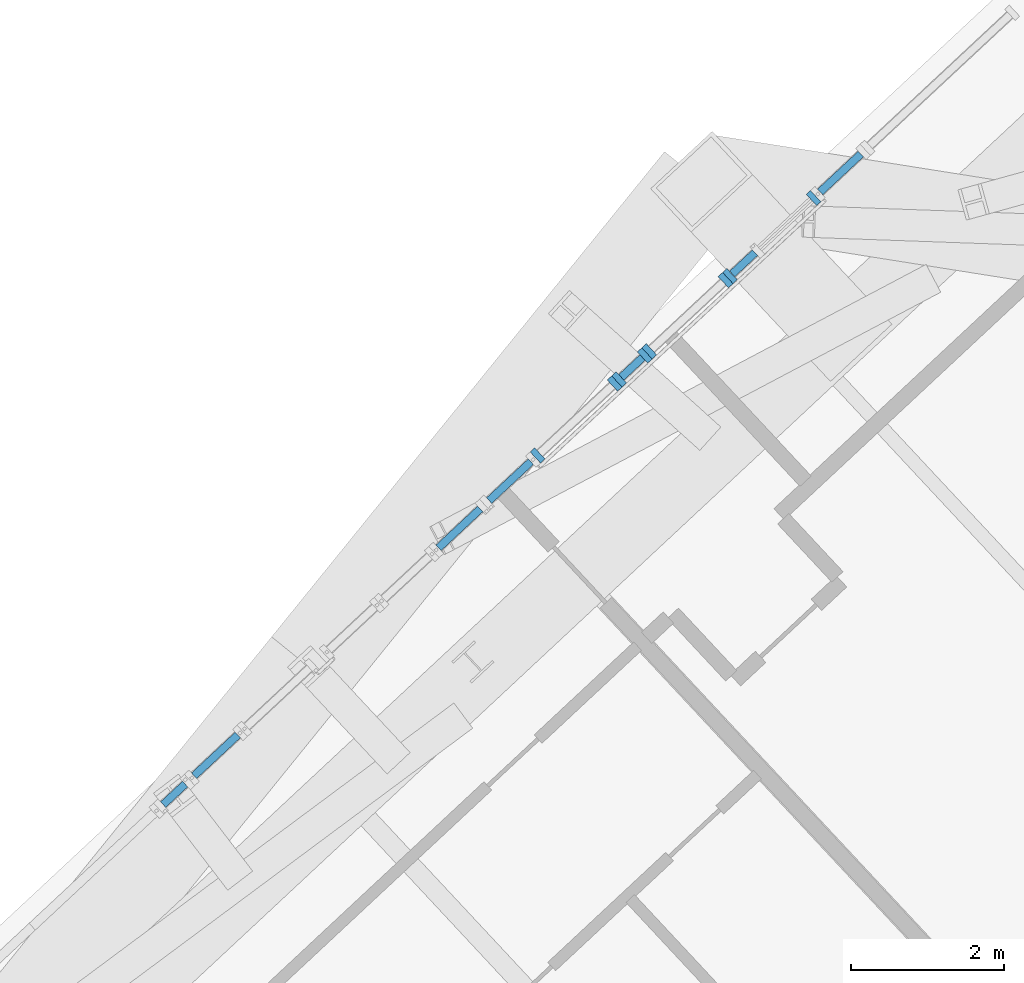
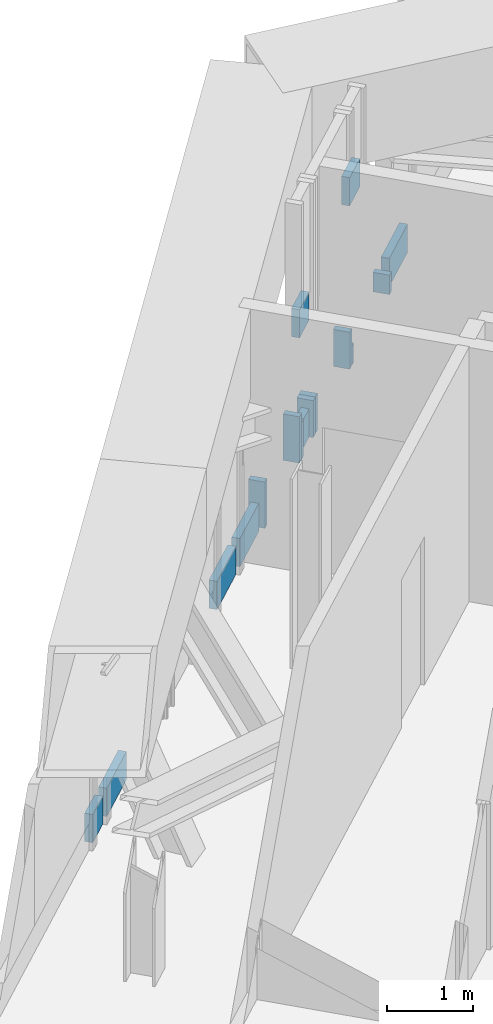
# One storey, part 13 of 31: 16 members, 11 elements without a shape of their own.
"""IFC4 building model written with IfcOpenShell, lengths in metres."""

from ifc_helpers import new_model, si_unit, direction, frame, origin, origin_2d, place, context, subcontext, project, spatial, rectangle, extrude, source, transform, mapped, material, material_profile, profile_set, type_object, element, aggregate, save


model = new_model("IFC4")

# Units and contexts
model_context = context("Model", 3, precision=1e-05, world=origin(), true_north=direction((0.0, 1.0)))
body_context = subcontext(model_context, "Body", "Model", "MODEL_VIEW")
ifc_project = project(units=[si_unit("LENGTHUNIT", "METRE"), si_unit("AREAUNIT", "SQUARE_METRE"), si_unit("VOLUMEUNIT", "CUBIC_METRE"), si_unit("PLANEANGLEUNIT", "RADIAN"), si_unit("MASSUNIT", "GRAM", prefix="KILO")], contexts=[model_context])

# Site, building, storey
site_placement = place(None, origin())
site = spatial("IfcSite", under=ifc_project, at=site_placement, CompositionType="ELEMENT")
building_placement = place(site_placement, origin())
building = spatial("IfcBuilding", under=site, at=building_placement, Name="Triune Harvest Tower", CompositionType="ELEMENT")
storey_placement = place(building_placement, frame((0.0, 0.0, 134.300048828125)))
storey = spatial("IfcBuildingStorey", under=building, at=storey_placement, Name="L34", CompositionType="ELEMENT", Elevation=134.300048828125)

# Curtain wall, member
ifc_material_1 = material(Name="Aluminium bronze anodised", Category="aluminium")
curtain_wall_type_1 = type_object("IfcCurtainWallType", Name="CW-5 Plant louvre wall", PredefinedType="NOTDEFINED", material=ifc_material_1)
curtain_wall_1_placement = place(storey_placement, origin())
curtain_wall_1 = element("IfcCurtainWall", 1, at=curtain_wall_1_placement, inside=storey, type_object=curtain_wall_type_1, Name="CW-5 B3-F3 L34 run 101")
ifc_material_2 = material(Name="Aluminium bronze anodised", Category="aluminium")
ifc_material_profile_1 = material_profile(ifc_material_2, rectangle(XDim=0.10009765625, YDim=0.39990234375, at=origin_2d()), Name="TR-5 transom 100 x 400")
ifc_profile_set_1 = profile_set([ifc_material_profile_1], Name="Aluminium bronze anodised")
member_type_1 = type_object("IfcMemberType", Name="TR-5 transom 100 x 400", PredefinedType="USERDEFINED", material=ifc_profile_set_1)
member_1_placement = place(storey_placement, frame((2.0048828125, 31.98388671875, 0.199951171875), z_axis=(-0.731311559653, -0.682043548989, 0.0), x_axis=(0.682043548989, -0.731311559653, 0.0)))
member_1 = element("IfcMember", 2, at=member_1_placement, type_object=member_type_1, Name="CW-5 transom B3-F3 101.1", ObjectType="TRANSOM", PredefinedType="USERDEFINED", context=body_context, shape_type="SweptSolid", body=[
    extrude(rectangle(XDim=0.10009765625, YDim=0.39990234375, at=origin_2d()), origin(), (0.0, 0.0, 1.0), 0.728515625),
])
aggregate(curtain_wall_1, [member_1])

curtain_wall_2_placement = place(storey_placement, origin())
curtain_wall_2 = element("IfcCurtainWall", 3, at=curtain_wall_2_placement, inside=storey, type_object=curtain_wall_type_1, Name="CW-5 B3-F3 L34 run 201")
member_2_placement = place(storey_placement, frame((0.619140625, 30.691650390625, 2.39453125), z_axis=(-0.73131499375, -0.682039866809, 0.0), x_axis=(0.682039866809, -0.73131499375, 0.0)))
member_2 = element("IfcMember", 4, at=member_2_placement, type_object=member_type_1, Name="CW-5 transom B3-F3 201.1", ObjectType="TRANSOM", PredefinedType="USERDEFINED", context=body_context, shape_type="SweptSolid", body=[
    extrude(rectangle(XDim=0.10009765625, YDim=0.39990234375, at=origin_2d()), origin(), (0.0, 0.0, 1.0), 0.40625),
])
aggregate(curtain_wall_2, [member_2])

# Curtain wall, members
curtain_wall_3_placement = place(storey_placement, origin())
curtain_wall_3 = element("IfcCurtainWall", 5, at=curtain_wall_3_placement, inside=storey, type_object=curtain_wall_type_1, Name="CW-5 B3-F3 L34 run 301")
ifc_material_3 = material(Name="Aluminium bronze anodised", Category="aluminium")
ifc_material_profile_2 = material_profile(ifc_material_3, rectangle(XDim=0.199951171875, YDim=0.080078125, at=origin_2d()), Name="MU-5 mullion 80 x 200")
ifc_profile_set_2 = profile_set([ifc_material_profile_2], Name="Aluminium bronze anodised")
member_type_2 = type_object("IfcMemberType", Name="MU-5 mullion 80 x 200", PredefinedType="MULLION", material=ifc_profile_set_2)
shared_shape_1 = source(origin(), body_context, "Body", "SweptSolid", [
    extrude(rectangle(XDim=0.199951171875, YDim=0.080078125, at=origin_2d()), origin(), (0.0, 0.0, 1.0), 0.5234375),
])
member_3_placement = place(storey_placement, frame((0.234130859375, 30.332763671875, 0.0), z_axis=(0.0, 0.0, 1.0), x_axis=(0.682000499676, -0.731351706392, 0.0)))
member_3 = element("IfcMember", 6, at=member_3_placement, type_object=member_type_2, Name="CW-5 mullion B3-F3 301.1", PredefinedType="MULLION", context=body_context, shape_type="MappedRepresentation", body=[
    mapped(shared_shape_1, transform((0.0, 0.0, 0.0), scale=1.0)),
])
member_4_placement = place(storey_placement, frame((-0.765380859375, 29.400634765625, 0.0), z_axis=(0.0, 0.0, 1.0), x_axis=(0.682000499676, -0.731351706392, 0.0)))
member_4 = element("IfcMember", 7, at=member_4_placement, type_object=member_type_2, Name="CW-5 mullion B3-F3 301.2", PredefinedType="MULLION", context=body_context, shape_type="MappedRepresentation", body=[
    mapped(shared_shape_1, transform((0.0, 0.0, 0.0), scale=1.0)),
])
aggregate(curtain_wall_3, [member_3, member_4])

curtain_wall_4_placement = place(storey_placement, origin())
curtain_wall_4 = element("IfcCurtainWall", 8, at=curtain_wall_4_placement, inside=storey, type_object=curtain_wall_type_1, Name="CW-5 B3-F3 L34 run 501")
member_5_placement = place(storey_placement, frame((-0.823974609375, 29.345947265625, 0.0), z_axis=(0.0, 0.0, 1.0), x_axis=(0.681921796066, -0.731425091209, 0.0)))
member_5 = element("IfcMember", 9, at=member_5_placement, type_object=member_type_2, Name="CW-5 mullion B3-F3 501.1", PredefinedType="MULLION", context=body_context, shape_type="MappedRepresentation", body=[
    mapped(shared_shape_1, transform((0.0, 0.0, 0.0), scale=1.0)),
])
member_6_placement = place(storey_placement, frame((-1.159912109375, 29.03271484375, 0.0), z_axis=(0.0, 0.0, 1.0), x_axis=(0.681921796066, -0.731425091209, 0.0)))
member_6 = element("IfcMember", 10, at=member_6_placement, type_object=member_type_2, Name="CW-5 mullion B3-F3 501.2", PredefinedType="MULLION", context=body_context, shape_type="MappedRepresentation", body=[
    mapped(shared_shape_1, transform((0.0, 0.0, 0.0), scale=1.0)),
])
shared_shape_2 = source(origin(), body_context, "Body", "SweptSolid", [
    extrude(rectangle(XDim=0.10009765625, YDim=0.39990234375, at=origin_2d()), origin(), (0.0, 0.0, 1.0), 0.37939453125),
])
member_7_placement = place(storey_placement, frame((-0.85302734375, 29.31884765625, 0.199951171875), z_axis=(-0.731440219282, -0.681905569428, 0.0), x_axis=(0.681905569428, -0.731440219282, 0.0)))
member_7 = element("IfcMember", 11, at=member_7_placement, type_object=member_type_1, Name="CW-5 transom B3-F3 501.1", ObjectType="TRANSOM", PredefinedType="USERDEFINED", context=body_context, shape_type="MappedRepresentation", body=[
    mapped(shared_shape_2, transform((0.0, 0.0, 0.0), scale=1.0)),
])
aggregate(curtain_wall_4, [member_5, member_6, member_7])

# Curtain wall, member
curtain_wall_5_placement = place(storey_placement, origin())
curtain_wall_5 = element("IfcCurtainWall", 12, at=curtain_wall_5_placement, inside=storey, type_object=curtain_wall_type_1, Name="CW-5 B3-F3 L34 run 601")
member_8_placement = place(storey_placement, frame((-0.85302734375, 29.31884765625, 1.85546875), z_axis=(-0.731440219282, -0.681905569428, 0.0), x_axis=(0.681905569428, -0.731440219282, 0.0)))
member_8 = element("IfcMember", 13, at=member_8_placement, type_object=member_type_1, Name="CW-5 transom B3-F3 601.1", ObjectType="TRANSOM", PredefinedType="USERDEFINED", context=body_context, shape_type="MappedRepresentation", body=[
    mapped(shared_shape_2, transform((0.0, 0.0, 0.0), scale=1.0)),
])
aggregate(curtain_wall_5, [member_8])

curtain_wall_6_placement = place(storey_placement, origin())
curtain_wall_6 = element("IfcCurtainWall", 14, at=curtain_wall_6_placement, inside=storey, type_object=curtain_wall_type_1, Name="CW-5 B3-F3 L34 run 901")
shared_shape_3 = source(origin(), body_context, "Body", "SweptSolid", [
    extrude(rectangle(XDim=0.10009765625, YDim=0.39990234375, at=origin_2d()), origin(), (0.0, 0.0, 1.0), 0.74658203125),
])
member_9_placement = place(storey_placement, frame((-2.978515625, 27.3369140625, 0.199951171875), z_axis=(-0.731207494965, -0.682155113818, 0.0), x_axis=(0.682155113818, -0.731207494965, 0.0)))
member_9 = element("IfcMember", 15, at=member_9_placement, type_object=member_type_1, Name="CW-5 transom B3-F3 901.1", ObjectType="TRANSOM", PredefinedType="USERDEFINED", context=body_context, shape_type="MappedRepresentation", body=[
    mapped(shared_shape_3, transform((0.0, 0.0, 0.0), scale=1.0)),
])
aggregate(curtain_wall_6, [member_9])

curtain_wall_7_placement = place(storey_placement, origin())
curtain_wall_7 = element("IfcCurtainWall", 16, at=curtain_wall_7_placement, inside=storey, type_object=curtain_wall_type_1, Name="CW-5 B3-F3 L34 run 801")
shared_shape_4 = source(origin(), body_context, "Body", "SweptSolid", [
    extrude(rectangle(XDim=0.10009765625, YDim=0.39990234375, at=origin_2d()), origin(), (0.0, 0.0, 1.0), 0.746826171875),
])
member_10_placement = place(storey_placement, frame((-2.315185546875, 27.955322265625, 0.199951171875), z_axis=(-0.731359612526, -0.681992021336, 0.0), x_axis=(0.681992021336, -0.731359612526, 0.0)))
member_10 = element("IfcMember", 17, at=member_10_placement, type_object=member_type_1, Name="CW-5 transom B3-F3 801.1", ObjectType="TRANSOM", PredefinedType="USERDEFINED", context=body_context, shape_type="MappedRepresentation", body=[
    mapped(shared_shape_4, transform((0.0, 0.0, 0.0), scale=1.0)),
])
aggregate(curtain_wall_7, [member_10])

curtain_wall_8_placement = place(storey_placement, origin())
curtain_wall_8 = element("IfcCurtainWall", 18, at=curtain_wall_8_placement, inside=storey, type_object=curtain_wall_type_1, Name="CW-5 B3-F3 L34 run 1301")
shared_shape_5 = source(origin(), body_context, "Body", "SweptSolid", [
    extrude(rectangle(XDim=0.10009765625, YDim=0.39990234375, at=origin_2d()), origin(), (0.0, 0.0, 1.0), 0.78173828125),
])
member_11_placement = place(storey_placement, frame((-6.15283203125, 24.376708984375, 0.199951171875), z_axis=(-0.731345965406, -0.682006656041, 0.0), x_axis=(0.682006656041, -0.731345965406, 0.0)))
member_11 = element("IfcMember", 19, at=member_11_placement, type_object=member_type_1, Name="CW-5 transom B3-F3 1301.1", ObjectType="TRANSOM", PredefinedType="USERDEFINED", context=body_context, shape_type="MappedRepresentation", body=[
    mapped(shared_shape_5, transform((0.0, 0.0, 0.0), scale=1.0)),
])
aggregate(curtain_wall_8, [member_11])

# Curtain wall, members
curtain_wall_9_placement = place(storey_placement, origin())
curtain_wall_9 = element("IfcCurtainWall", 20, at=curtain_wall_9_placement, inside=storey, type_object=curtain_wall_type_1, Name="CW-5 B3-F3 L34 run 701")
shared_shape_6 = source(origin(), body_context, "Body", "SweptSolid", [
    extrude(rectangle(XDim=0.199951171875, YDim=0.080078125, at=origin_2d()), origin(), (0.0, 0.0, 1.0), 0.655517578125),
])
member_12_placement = place(storey_placement, frame((-1.21826171875, 28.978271484375, 0.0), z_axis=(0.0, 0.0, 1.0), x_axis=(0.682018012942, -0.731335374519, 0.0)))
member_12 = element("IfcMember", 21, at=member_12_placement, type_object=member_type_2, Name="CW-5 mullion B3-F3 701.1", PredefinedType="MULLION", context=body_context, shape_type="MappedRepresentation", body=[
    mapped(shared_shape_6, transform((0.0, 0.0, 0.0), scale=1.0)),
])
member_13_placement = place(storey_placement, frame((-2.2275390625, 28.037109375, 0.0), z_axis=(0.0, 0.0, 1.0), x_axis=(0.682018012942, -0.731335374519, 0.0)))
member_13 = element("IfcMember", 22, at=member_13_placement, type_object=member_type_2, Name="CW-5 mullion B3-F3 701.2", PredefinedType="MULLION", context=body_context, shape_type="MappedRepresentation", body=[
    mapped(shared_shape_6, transform((0.0, 0.0, 0.0), scale=1.0)),
])
aggregate(curtain_wall_9, [member_12, member_13])

# Curtain wall, member
curtain_wall_10_placement = place(storey_placement, origin())
curtain_wall_10 = element("IfcCurtainWall", 23, at=curtain_wall_10_placement, inside=storey, type_object=curtain_wall_type_1, Name="CW-5 B3-F3 L34 run 1401")
shared_shape_7 = source(origin(), body_context, "Body", "SweptSolid", [
    extrude(rectangle(XDim=0.10009765625, YDim=0.39990234375, at=origin_2d()), origin(), (0.0, 0.0, 1.0), 0.3935546875),
])
member_14_placement = place(storey_placement, frame((-6.841796875, 23.734375, 0.199951171875), z_axis=(-0.731178995361, -0.68218566149, 0.0), x_axis=(0.68218566149, -0.731178995361, 0.0)))
member_14 = element("IfcMember", 24, at=member_14_placement, type_object=member_type_1, Name="CW-5 transom B3-F3 1401.1", ObjectType="TRANSOM", PredefinedType="USERDEFINED", context=body_context, shape_type="MappedRepresentation", body=[
    mapped(shared_shape_7, transform((0.0, 0.0, 0.0), scale=1.0)),
])
aggregate(curtain_wall_10, [member_14])

# Curtain wall, members
ifc_material_4 = material(Name="Aluminium bronze anodised", Category="aluminium")
curtain_wall_type_2 = type_object("IfcCurtainWallType", Name="CW-6 Balcony window wall", PredefinedType="NOTDEFINED", material=ifc_material_4)
curtain_wall_11_placement = place(storey_placement, origin())
curtain_wall_11 = element("IfcCurtainWall", 25, at=curtain_wall_11_placement, inside=storey, type_object=curtain_wall_type_2, Name="CW-6 B3-F3 L34 run 1701")
ifc_material_5 = material(Name="Aluminium bronze anodised", Category="aluminium")
ifc_material_profile_3 = material_profile(ifc_material_5, rectangle(XDim=0.199951171875, YDim=0.074951171875, at=origin_2d()), Name="MU-6 mullion 75 x 200")
ifc_profile_set_3 = profile_set([ifc_material_profile_3], Name="Aluminium bronze anodised")
member_type_3 = type_object("IfcMemberType", Name="MU-6 mullion 75 x 200", PredefinedType="MULLION", material=ifc_profile_set_3)
shared_shape_8 = source(origin(), body_context, "Body", "SweptSolid", [
    extrude(rectangle(XDim=0.199951171875, YDim=0.074951171875, at=origin_2d()), origin(), (0.0, 0.0, 1.0), 0.275390625),
])
member_15_placement = place(storey_placement, frame((1.38623046875, 31.406982421875, 0.0), z_axis=(0.0, 0.0, 1.0), x_axis=(0.682003257721, -0.731349134448, 0.0)))
member_15 = element("IfcMember", 26, at=member_15_placement, type_object=member_type_3, Name="CW-6 mullion B3-F3 1701.1", PredefinedType="MULLION", context=body_context, shape_type="MappedRepresentation", body=[
    mapped(shared_shape_8, transform((0.0, 0.0, 0.0), scale=1.0)),
])
member_16_placement = place(storey_placement, frame((0.291015625, 30.385498046875, 0.0), z_axis=(0.0, 0.0, 1.0), x_axis=(0.682003257721, -0.731349134448, 0.0)))
member_16 = element("IfcMember", 27, at=member_16_placement, type_object=member_type_3, Name="CW-6 mullion B3-F3 1701.2", PredefinedType="MULLION", context=body_context, shape_type="MappedRepresentation", body=[
    mapped(shared_shape_8, transform((0.0, 0.0, 0.0), scale=1.0)),
])
aggregate(curtain_wall_11, [member_15, member_16])

save(model, "model.ifc")
